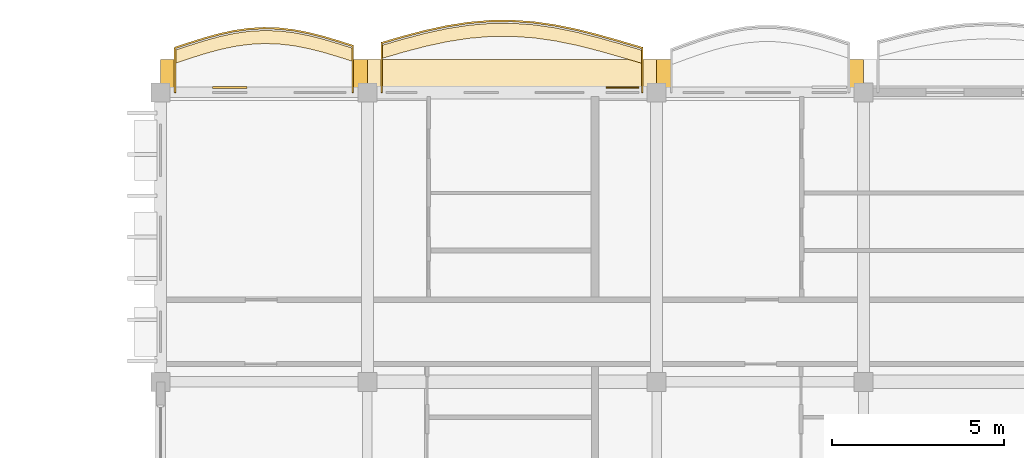
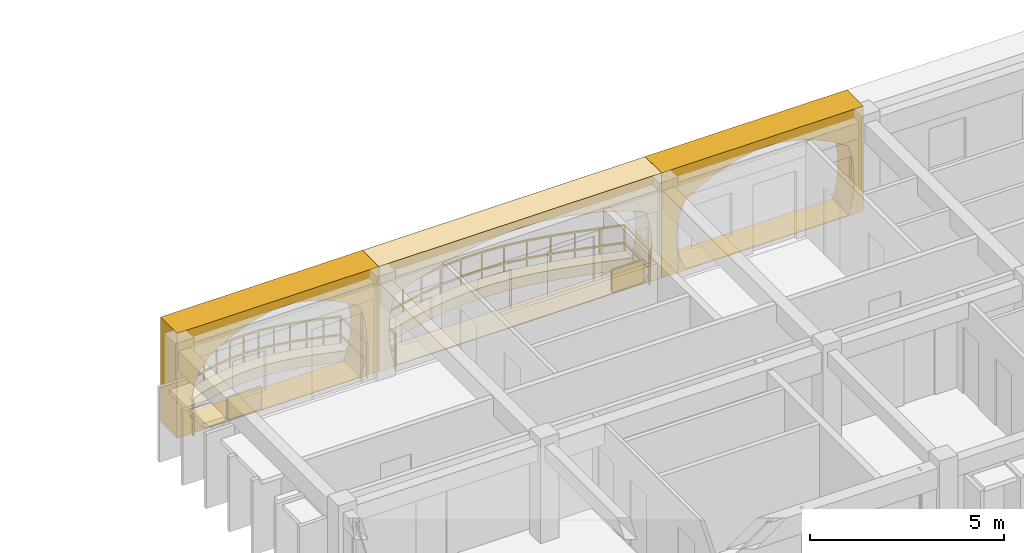
# One storey, part 26 of 31: 7 coverings, 2 railings.
"""IFC4 building model written with IfcOpenShell, lengths in metres."""

from ifc_helpers import new_model, si_unit, direction, frame, origin, origin_2d, place, context, subcontext, project, spatial, polyline, rectangle, outline, extrude, material, layer, layer_set, type_object, element, save


model = new_model("IFC4")

# Units and contexts
model_context = context("Model", 3, precision=1e-05, world=origin(), true_north=direction((0.0, 1.0)))
body_context = subcontext(model_context, "Body", "Model", "MODEL_VIEW")
ifc_project = project(units=[si_unit("LENGTHUNIT", "METRE"), si_unit("AREAUNIT", "SQUARE_METRE"), si_unit("VOLUMEUNIT", "CUBIC_METRE"), si_unit("PLANEANGLEUNIT", "RADIAN"), si_unit("MASSUNIT", "GRAM", prefix="KILO"), si_unit("THERMODYNAMICTEMPERATUREUNIT", "KELVIN")], contexts=[model_context])

# Site, building, storey
site_placement = place(None, origin())
site = spatial("IfcSite", under=ifc_project, at=site_placement, CompositionType="ELEMENT")
building_placement = place(site_placement, origin())
building = spatial("IfcBuilding", under=site, at=building_placement, Name="Thalorik Housing Commons", CompositionType="ELEMENT")
storey_placement = place(building_placement, frame((0.0, 0.0, 37.800048828125)))
storey = spatial("IfcBuildingStorey", under=building, at=storey_placement, Name="L11", CompositionType="ELEMENT", Elevation=37.800048828125)

# Coverings
ifc_material_1 = material(Name="Cobalt blue glazed ceramic facade tile panel", Category="masonry")
ifc_layer_1 = layer(ifc_material_1, 0.06005859375, Name="Cobalt blue glazed ceramic facade tile panel", Category="masonry")
ifc_layer_set_1 = layer_set([ifc_layer_1], Name="Cobalt blue glazed ceramic facade tile panel")
covering_type_1 = type_object("IfcCoveringType", Name="ARC-CLD-BLU-60", PredefinedType="CLADDING", material=ifc_layer_set_1)
covering_1_placement = place(storey_placement, frame((111.2099609375, 123.742431640625, 0.0498046875), z_axis=(0.0, 0.0, 1.0), x_axis=(-1.0, 0.0, 0.0)))
element("IfcCovering", 1, at=covering_1_placement, inside=storey, type_object=covering_type_1, Name="L11 De Stijl Recessed Window Spandrel 3181", PredefinedType="CLADDING", context=body_context, shape_type="SweptSolid", body=[
    extrude(rectangle(XDim=1.0, YDim=0.06005859375, at=origin_2d()), origin(), (0.0, 0.0, 1.0), 0.699951171875),
])
ifc_material_2 = material(Name="Precast concrete C40/50", Category="concrete")
ifc_layer_2 = layer(ifc_material_2, 0.85009765625, Name="Precast concrete C40/50", Category="concrete")
ifc_layer_set_2 = layer_set([ifc_layer_2], Name="Precast concrete C40/50")
covering_type_2 = type_object("IfcCoveringType", Name="ARC-CLD-CUSH-850", PredefinedType="CLADDING", material=ifc_layer_set_2)
covering_2_placement = place(storey_placement, frame((126.60009765625, 124.132568359375, 0.0), z_axis=(0.0, 0.0, 1.0), x_axis=(-1.0, 0.0, 0.0)))
element("IfcCovering", 2, at=covering_2_placement, inside=storey, type_object=covering_type_2, Name="L11 White Precast Curved Cushion Bay Frame 3176", PredefinedType="CLADDING", context=body_context, shape_type="SweptSolid", body=[
    extrude(outline(polyline([(-3.0, 0.0), (3.0, 0.0), (3.0, 3.300048828125), (-3.0, 3.300048828125), (-3.0, 0.0)]), holes=[polyline([(2.28955078125, 0.02490234375), (2.439697265625, 0.387451171875), (2.529541015625, 0.75), (2.5595703125, 1.112548828125), (2.529541015625, 1.47509765625), (2.439697265625, 1.83740234375), (2.28955078125, 2.199951171875), (1.885498046875, 2.455810546875), (1.481201171875, 2.656494140625), (1.0771484375, 2.819091796875), (0.6728515625, 2.940185546875), (0.268798828125, 3.014892578125), (-0.135498046875, 3.0400390625), (-0.53955078125, 3.014892578125), (-0.943603515625, 2.940185546875), (-1.347900390625, 2.819091796875), (-1.752197265625, 2.656494140625), (-2.15625, 2.455810546875), (-2.560302734375, 2.199951171875), (-2.6533203125, 1.83740234375), (-2.708984375, 1.47509765625), (-2.727294921875, 1.112548828125), (-2.708984375, 0.75), (-2.6533203125, 0.387451171875), (-2.560302734375, 0.02490234375), (2.28955078125, 0.02490234375)])]), frame((0.0, 0.425048828125, 0.0), z_axis=(0.0, -1.0, 0.0), x_axis=(1.0, 0.0, 0.0)), (0.0, 0.0, 1.0), 0.85009765625),
])
covering_3_placement = place(storey_placement, frame((119.39990234375, 124.132568359375, 0.0), z_axis=(0.0, 0.0, 1.0), x_axis=(-1.0, 0.0, 0.0)))
element("IfcCovering", 3, at=covering_3_placement, inside=storey, type_object=covering_type_2, Name="L11 White Precast Curved Cushion Bay Frame 3178", PredefinedType="CLADDING", context=body_context, shape_type="SweptSolid", body=[
    extrude(outline(polyline([(-4.199951171875, 0.0), (4.199951171875, 0.0), (4.199951171875, 3.300048828125), (-4.199951171875, 3.300048828125), (-4.199951171875, 0.0)]), holes=[polyline([(3.712890625, 0.02490234375), (3.81591796875, 0.394287109375), (3.87744140625, 0.76318359375), (3.898193359375, 1.132568359375), (3.87744140625, 1.501708984375), (3.81591796875, 1.870849609375), (3.712890625, 2.239990234375), (3.09228515625, 2.4833984375), (2.4716796875, 2.6748046875), (1.85107421875, 2.82958984375), (1.230224609375, 2.94482421875), (0.609619140625, 3.01611328125), (-0.010986328125, 3.0400390625), (-0.631591796875, 3.01611328125), (-1.252197265625, 2.94482421875), (-1.873046875, 2.82958984375), (-2.49365234375, 2.6748046875), (-3.1142578125, 2.4833984375), (-3.735107421875, 2.239990234375), (-3.833251953125, 1.870849609375), (-3.89208984375, 1.501708984375), (-3.91162109375, 1.132568359375), (-3.89208984375, 0.76318359375), (-3.833251953125, 0.394287109375), (-3.735107421875, 0.02490234375), (3.712890625, 0.02490234375)])]), frame((0.0, 0.425048828125, 0.0), z_axis=(0.0, -1.0, 0.0), x_axis=(1.0, 0.0, 0.0)), (0.0, 0.0, 1.0), 0.85009765625),
])
covering_4_placement = place(storey_placement, frame((112.199951171875, 124.132568359375, 0.0), z_axis=(0.0, 0.0, 1.0), x_axis=(-1.0, 0.0, 0.0)))
element("IfcCovering", 4, at=covering_4_placement, inside=storey, type_object=covering_type_2, Name="L11 White Precast Curved Cushion Bay Frame 3180", PredefinedType="CLADDING", context=body_context, shape_type="SweptSolid", body=[
    extrude(outline(polyline([(-3.0, 0.0), (3.0, 0.0), (3.0, 3.300048828125), (-3.0, 3.300048828125), (-3.0, 0.0)]), holes=[polyline([(2.0400390625, 0.02490234375), (2.3232421875, 0.394287109375), (2.493408203125, 0.76318359375), (2.550048828125, 1.132568359375), (2.493408203125, 1.501708984375), (2.3232421875, 1.870849609375), (2.0400390625, 2.239990234375), (1.66748046875, 2.4833984375), (1.294921875, 2.6748046875), (0.922607421875, 2.82958984375), (0.550048828125, 2.94482421875), (0.177490234375, 3.01611328125), (-0.195068359375, 3.0400390625), (-0.5673828125, 3.01611328125), (-0.93994140625, 2.94482421875), (-1.3125, 2.82958984375), (-1.68505859375, 2.6748046875), (-2.0576171875, 2.4833984375), (-2.429931640625, 2.239990234375), (-2.55029296875, 1.870849609375), (-2.62255859375, 1.501708984375), (-2.646484375, 1.132568359375), (-2.62255859375, 0.76318359375), (-2.55029296875, 0.394287109375), (-2.429931640625, 0.02490234375), (2.0400390625, 0.02490234375)])]), frame((0.0, 0.425048828125, 0.0), z_axis=(0.0, -1.0, 0.0), x_axis=(1.0, 0.0, 0.0)), (0.0, 0.0, 1.0), 0.85009765625),
])
ifc_material_3 = material(Name="Terracotta red mineral fibre-cement panel", Category="masonry")
ifc_layer_3 = layer(ifc_material_3, 0.054931640625, Name="Terracotta red mineral fibre-cement panel", Category="masonry")
ifc_layer_set_3 = layer_set([ifc_layer_3], Name="Terracotta red mineral fibre-cement panel")
covering_type_3 = type_object("IfcCoveringType", Name="ARC-CLD-RED-55", PredefinedType="CLADDING", material=ifc_layer_set_3)
covering_5_placement = place(storey_placement, frame((122.610107421875, 123.739990234375, 0.0498046875), z_axis=(0.0, 0.0, 1.0), x_axis=(-1.0, 0.0, 0.0)))
element("IfcCovering", 5, at=covering_5_placement, inside=storey, type_object=covering_type_3, Name="L11 De Stijl Recessed Window Spandrel 3179", PredefinedType="CLADDING", context=body_context, shape_type="SweptSolid", body=[
    extrude(rectangle(XDim=0.949951171875, YDim=0.054931640625, at=origin_2d()), origin(), (0.0, 0.0, 1.0), 0.699951171875),
])
ifc_material_4 = material(Name="Planted vegetated substrate and terracotta trough", Category="masonry")
ifc_layer_4 = layer(ifc_material_4, 0.340087890625, Name="Planted vegetated substrate and terracotta trough", Category="masonry")
ifc_layer_set_4 = layer_set([ifc_layer_4], Name="Planted vegetated substrate and terracotta trough")
covering_type_4 = type_object("IfcCoveringType", Name="ARC-COV-PLANTER", PredefinedType="USERDEFINED", material=ifc_layer_set_4)
covering_6_placement = place(storey_placement, origin())
element("IfcCovering", 6, at=covering_6_placement, inside=storey, type_object=covering_type_4, Name="L11 Balcony Slab-Edge Planted Trough 5549", ObjectType="PLANTER", PredefinedType="USERDEFINED", context=body_context, shape_type="SweptSolid", body=[
    extrude(outline(polyline([(114.780029296875, 124.877197265625), (114.35009765625, 125.014404296875), (113.919921875, 125.141845703125), (113.489990234375, 125.2509765625), (113.06005859375, 125.333251953125), (112.6298828125, 125.383056640625), (112.199951171875, 125.39599609375), (111.77001953125, 125.37158203125), (111.340087890625, 125.310791015625), (110.909912109375, 125.218017578125), (110.47998046875, 125.099853515625), (110.050048828125, 124.964599609375), (109.6201171875, 124.82177734375), (109.6201171875, 124.441650390625), (110.050048828125, 124.584716796875), (110.47998046875, 124.719970703125), (110.909912109375, 124.838134765625), (111.340087890625, 124.930908203125), (111.77001953125, 124.991455078125), (112.199951171875, 125.01611328125), (112.6298828125, 125.0029296875), (113.06005859375, 124.953369140625), (113.489990234375, 124.87109375), (113.919921875, 124.761962890625), (114.35009765625, 124.63427734375), (114.780029296875, 124.497314453125), (114.780029296875, 124.877197265625)])), origin(), (0.0, 0.0, 1.0), 0.33984375),
])
covering_7_placement = place(storey_placement, origin())
element("IfcCovering", 7, at=covering_7_placement, inside=storey, type_object=covering_type_4, Name="L11 Balcony Slab-Edge Planted Trough 5550", ObjectType="PLANTER", PredefinedType="USERDEFINED", context=body_context, shape_type="SweptSolid", body=[
    extrude(outline(polyline([(123.179931640625, 124.8193359375), (122.550048828125, 125.0048828125), (121.919921875, 125.183349609375), (121.2900390625, 125.342529296875), (120.659912109375, 125.4716796875), (120.030029296875, 125.561279296875), (119.39990234375, 125.60546875), (118.77001953125, 125.6005859375), (118.139892578125, 125.54736328125), (117.510009765625, 125.448974609375), (116.8798828125, 125.3125), (116.25, 125.14697265625), (115.6201171875, 124.9638671875), (115.6201171875, 124.583740234375), (116.25, 124.766845703125), (116.8798828125, 124.932373046875), (117.510009765625, 125.069091796875), (118.139892578125, 125.16748046875), (118.77001953125, 125.220703125), (119.39990234375, 125.225341796875), (120.030029296875, 125.181396484375), (120.659912109375, 125.091796875), (121.2900390625, 124.962646484375), (121.919921875, 124.80322265625), (122.550048828125, 124.624755859375), (123.179931640625, 124.439453125), (123.179931640625, 124.8193359375)])), origin(), (0.0, 0.0, 1.0), 0.33984375),
])

# Railings
ifc_material_5 = material(Name="Steel S355", Category="steel")
railing_type_1 = type_object("IfcRailingType", Name="ARC-RL-BAL-112", PredefinedType="BALUSTRADE", material=ifc_material_5)
railing_1_placement = place(storey_placement, frame((123.179931640625, 123.60009765625, 0.0)))
element("IfcRailing", 8, at=railing_1_placement, inside=storey, type_object=railing_type_1, Name="L11 Cushion Balcony Guardrail 234", PredefinedType="BALUSTRADE", context=body_context, shape_type="SweptSolid", body=[
    extrude(rectangle(XDim=0.050048828125, YDim=0.050048828125, at=origin_2d()), frame((0.0, 0.0, 1.09521484375), z_axis=(0.0, 1.0, 0.0), x_axis=(-1.0, 0.0, 0.0)), (0.0, 0.0, 1.0), 1.289306640625),
    extrude(rectangle(XDim=0.050048828125, YDim=0.050048828125, at=origin_2d()), frame((0.0, 0.0, 0.53515625), z_axis=(0.0, 1.0, 0.0), x_axis=(-1.0, 0.0, 0.0)), (0.0, 0.0, 1.0), 1.289306640625),
    extrude(rectangle(XDim=0.050048828125, YDim=0.050048828125, at=origin_2d()), frame((0.0, 1.289306640625, 1.09521484375), z_axis=(-0.959347736603, 0.282226717861, 0.0), x_axis=(-0.282226717861, -0.959347736603, 0.0)), (0.0, 0.0, 1.0), 0.656494140625),
    extrude(rectangle(XDim=0.050048828125, YDim=0.050048828125, at=origin_2d()), frame((0.0, 1.289306640625, 0.53515625), z_axis=(-0.959347736603, 0.282226717861, 0.0), x_axis=(-0.282226717861, -0.959347736603, 0.0)), (0.0, 0.0, 1.0), 0.656494140625),
    extrude(rectangle(XDim=0.050048828125, YDim=0.050048828125, at=origin_2d()), frame((-0.6298828125, 1.474609375, 1.09521484375), z_axis=(-0.962056630999, 0.272849846529, 0.0), x_axis=(-0.272849846529, -0.962056630999, 0.0)), (0.0, 0.0, 1.0), 0.655029296875),
    extrude(rectangle(XDim=0.050048828125, YDim=0.050048828125, at=origin_2d()), frame((-0.6298828125, 1.474609375, 0.53515625), z_axis=(-0.962056630999, 0.272849846529, 0.0), x_axis=(-0.272849846529, -0.962056630999, 0.0)), (0.0, 0.0, 1.0), 0.655029296875),
    extrude(rectangle(XDim=0.050048828125, YDim=0.050048828125, at=origin_2d()), frame((-1.260009765625, 1.6533203125, 1.09521484375), z_axis=(-0.969520404283, 0.245010582788, 0.0), x_axis=(-0.245010582788, -0.969520404283, 0.0)), (0.0, 0.0, 1.0), 0.649658203125),
    extrude(rectangle(XDim=0.050048828125, YDim=0.050048828125, at=origin_2d()), frame((-1.260009765625, 1.6533203125, 0.53515625), z_axis=(-0.969520404283, 0.245010582788, 0.0), x_axis=(-0.245010582788, -0.969520404283, 0.0)), (0.0, 0.0, 1.0), 0.649658203125),
    extrude(rectangle(XDim=0.050048828125, YDim=0.050048828125, at=origin_2d()), frame((-1.889892578125, 1.8125, 1.09521484375), z_axis=(-0.979635255397, 0.200785373927, 0.0), x_axis=(-0.200785373927, -0.979635255397, 0.0)), (0.0, 0.0, 1.0), 0.643310546875),
    extrude(rectangle(XDim=0.050048828125, YDim=0.050048828125, at=origin_2d()), frame((-1.889892578125, 1.8125, 0.53515625), z_axis=(-0.979635255397, 0.200785373927, 0.0), x_axis=(-0.200785373927, -0.979635255397, 0.0)), (0.0, 0.0, 1.0), 0.643310546875),
    extrude(rectangle(XDim=0.050048828125, YDim=0.050048828125, at=origin_2d()), frame((-2.52001953125, 1.941650390625, 1.09521484375), z_axis=(-0.990033738759, 0.140830380668, 0.0), x_axis=(-0.140830380668, -0.990033738759, 0.0)), (0.0, 0.0, 1.0), 0.63623046875),
    extrude(rectangle(XDim=0.050048828125, YDim=0.050048828125, at=origin_2d()), frame((-2.52001953125, 1.941650390625, 0.53515625), z_axis=(-0.990033738759, 0.140830380668, 0.0), x_axis=(-0.140830380668, -0.990033738759, 0.0)), (0.0, 0.0, 1.0), 0.63623046875),
    extrude(rectangle(XDim=0.050048828125, YDim=0.050048828125, at=origin_2d()), frame((-3.14990234375, 2.03125, 1.09521484375), z_axis=(-0.997576972688, 0.069571427774, 0.0), x_axis=(-0.069571427774, -0.997576972688, 0.0)), (0.0, 0.0, 1.0), 0.631591796875),
    extrude(rectangle(XDim=0.050048828125, YDim=0.050048828125, at=origin_2d()), frame((-3.14990234375, 2.03125, 0.53515625), z_axis=(-0.997576972688, 0.069571427774, 0.0), x_axis=(-0.069571427774, -0.997576972688, 0.0)), (0.0, 0.0, 1.0), 0.631591796875),
    extrude(rectangle(XDim=0.050048828125, YDim=0.050048828125, at=origin_2d()), frame((-3.780029296875, 2.0751953125, 1.09521484375), z_axis=(-0.999972884343, -0.007364141396, 0.0), x_axis=(0.007364141396, -0.999972884343, 0.0)), (0.0, 0.0, 1.0), 0.6298828125),
    extrude(rectangle(XDim=0.050048828125, YDim=0.050048828125, at=origin_2d()), frame((-3.780029296875, 2.0751953125, 0.53515625), z_axis=(-0.999972884343, -0.007364141396, 0.0), x_axis=(0.007364141396, -0.999972884343, 0.0)), (0.0, 0.0, 1.0), 0.6298828125),
    extrude(rectangle(XDim=0.050048828125, YDim=0.050048828125, at=origin_2d()), frame((-4.409912109375, 2.070556640625, 1.09521484375), z_axis=(-0.996451941002, -0.084163705207, 0.0), x_axis=(0.084163705207, -0.996451941002, 0.0)), (0.0, 0.0, 1.0), 0.63232421875),
    extrude(rectangle(XDim=0.050048828125, YDim=0.050048828125, at=origin_2d()), frame((-4.409912109375, 2.070556640625, 0.53515625), z_axis=(-0.996451941002, -0.084163705207, 0.0), x_axis=(0.084163705207, -0.996451941002, 0.0)), (0.0, 0.0, 1.0), 0.63232421875),
    extrude(rectangle(XDim=0.050048828125, YDim=0.050048828125, at=origin_2d()), frame((-5.0400390625, 2.017333984375, 1.09521484375), z_axis=(-0.988019333947, -0.154330151775, 0.0), x_axis=(0.154330151775, -0.988019333947, 0.0)), (0.0, 0.0, 1.0), 0.637451171875),
    extrude(rectangle(XDim=0.050048828125, YDim=0.050048828125, at=origin_2d()), frame((-5.0400390625, 2.017333984375, 0.53515625), z_axis=(-0.988019333947, -0.154330151775, 0.0), x_axis=(0.154330151775, -0.988019333947, 0.0)), (0.0, 0.0, 1.0), 0.637451171875),
    extrude(rectangle(XDim=0.050048828125, YDim=0.050048828125, at=origin_2d()), frame((-5.669921875, 1.9189453125, 1.09521484375), z_axis=(-0.977261717402, -0.212036637638, 0.0), x_axis=(0.212036637638, -0.977261717402, 0.0)), (0.0, 0.0, 1.0), 0.644775390625),
    extrude(rectangle(XDim=0.050048828125, YDim=0.050048828125, at=origin_2d()), frame((-5.669921875, 1.9189453125, 0.53515625), z_axis=(-0.977261717402, -0.212036637638, 0.0), x_axis=(0.212036637638, -0.977261717402, 0.0)), (0.0, 0.0, 1.0), 0.644775390625),
    extrude(rectangle(XDim=0.050048828125, YDim=0.050048828125, at=origin_2d()), frame((-6.300048828125, 1.7822265625, 1.09521484375), z_axis=(-0.967161884904, -0.254161146498, 0.0), x_axis=(0.254161146498, -0.967161884904, 0.0)), (0.0, 0.0, 1.0), 0.6513671875),
    extrude(rectangle(XDim=0.050048828125, YDim=0.050048828125, at=origin_2d()), frame((-6.300048828125, 1.7822265625, 0.53515625), z_axis=(-0.967161884904, -0.254161146498, 0.0), x_axis=(0.254161146498, -0.967161884904, 0.0)), (0.0, 0.0, 1.0), 0.6513671875),
    extrude(rectangle(XDim=0.050048828125, YDim=0.050048828125, at=origin_2d()), frame((-6.929931640625, 1.61669921875, 1.09521484375), z_axis=(-0.960249728562, -0.279142362954, 0.0), x_axis=(0.279142362954, -0.960249728562, 0.0)), (0.0, 0.0, 1.0), 0.656005859375),
    extrude(rectangle(XDim=0.050048828125, YDim=0.050048828125, at=origin_2d()), frame((-6.929931640625, 1.61669921875, 0.53515625), z_axis=(-0.960249728562, -0.279142362954, 0.0), x_axis=(0.279142362954, -0.960249728562, 0.0)), (0.0, 0.0, 1.0), 0.656005859375),
    extrude(rectangle(XDim=0.050048828125, YDim=0.050048828125, at=origin_2d()), frame((-7.559814453125, 1.43359375, 1.09521484375), z_axis=(0.0, -1.0, 0.0), x_axis=(1.0, 0.0, 0.0)), (0.0, 0.0, 1.0), 1.43359375),
    extrude(rectangle(XDim=0.050048828125, YDim=0.050048828125, at=origin_2d()), frame((-7.559814453125, 1.43359375, 0.53515625), z_axis=(0.0, -1.0, 0.0), x_axis=(1.0, 0.0, 0.0)), (0.0, 0.0, 1.0), 1.43359375),
    extrude(rectangle(XDim=0.0419921875, YDim=0.0419921875, at=origin_2d()), origin(), (0.0, 0.0, 1.0), 1.070068359375),
    extrude(rectangle(XDim=0.0419921875, YDim=0.0419921875, at=origin_2d()), frame((0.0, 1.289306640625, 0.0)), (0.0, 0.0, 1.0), 1.070068359375),
    extrude(rectangle(XDim=0.0419921875, YDim=0.0419921875, at=origin_2d()), frame((-0.6298828125, 1.474609375, 0.0)), (0.0, 0.0, 1.0), 1.070068359375),
    extrude(rectangle(XDim=0.0419921875, YDim=0.0419921875, at=origin_2d()), frame((-1.260009765625, 1.6533203125, 0.0)), (0.0, 0.0, 1.0), 1.070068359375),
    extrude(rectangle(XDim=0.0419921875, YDim=0.0419921875, at=origin_2d()), frame((-1.889892578125, 1.8125, 0.0)), (0.0, 0.0, 1.0), 1.070068359375),
    extrude(rectangle(XDim=0.0419921875, YDim=0.0419921875, at=origin_2d()), frame((-2.52001953125, 1.941650390625, 0.0)), (0.0, 0.0, 1.0), 1.070068359375),
    extrude(rectangle(XDim=0.0419921875, YDim=0.0419921875, at=origin_2d()), frame((-3.14990234375, 2.03125, 0.0)), (0.0, 0.0, 1.0), 1.070068359375),
    extrude(rectangle(XDim=0.0419921875, YDim=0.0419921875, at=origin_2d()), frame((-3.780029296875, 2.0751953125, 0.0)), (0.0, 0.0, 1.0), 1.070068359375),
    extrude(rectangle(XDim=0.0419921875, YDim=0.0419921875, at=origin_2d()), frame((-4.409912109375, 2.070556640625, 0.0)), (0.0, 0.0, 1.0), 1.070068359375),
    extrude(rectangle(XDim=0.0419921875, YDim=0.0419921875, at=origin_2d()), frame((-5.0400390625, 2.017333984375, 0.0)), (0.0, 0.0, 1.0), 1.070068359375),
    extrude(rectangle(XDim=0.0419921875, YDim=0.0419921875, at=origin_2d()), frame((-5.669921875, 1.9189453125, 0.0)), (0.0, 0.0, 1.0), 1.070068359375),
    extrude(rectangle(XDim=0.0419921875, YDim=0.0419921875, at=origin_2d()), frame((-6.300048828125, 1.7822265625, 0.0)), (0.0, 0.0, 1.0), 1.070068359375),
    extrude(rectangle(XDim=0.0419921875, YDim=0.0419921875, at=origin_2d()), frame((-6.929931640625, 1.61669921875, 0.0)), (0.0, 0.0, 1.0), 1.070068359375),
    extrude(rectangle(XDim=0.0419921875, YDim=0.0419921875, at=origin_2d()), frame((-7.559814453125, 1.43359375, 0.0)), (0.0, 0.0, 1.0), 1.070068359375),
    extrude(rectangle(XDim=0.0419921875, YDim=0.0419921875, at=origin_2d()), frame((-7.559814453125, 0.0, 0.0)), (0.0, 0.0, 1.0), 1.070068359375),
])
railing_type_2 = type_object("IfcRailingType", Name="ARC-RL-BAL-115", PredefinedType="BALUSTRADE", material=ifc_material_5)
railing_2_placement = place(storey_placement, frame((114.780029296875, 123.60009765625, 0.0)))
element("IfcRailing", 9, at=railing_2_placement, inside=storey, type_object=railing_type_2, Name="L11 Cushion Balcony Guardrail 233", PredefinedType="BALUSTRADE", context=body_context, shape_type="SweptSolid", body=[
    extrude(rectangle(XDim=0.050048828125, YDim=0.050048828125, at=origin_2d()), frame((0.0, 0.0, 1.125), z_axis=(0.0, 1.0, 0.0), x_axis=(-1.0, 0.0, 0.0)), (0.0, 0.0, 1.0), 1.34716796875),
    extrude(rectangle(XDim=0.050048828125, YDim=0.050048828125, at=origin_2d()), frame((0.0, 0.0, 0.5498046875), z_axis=(0.0, 1.0, 0.0), x_axis=(-1.0, 0.0, 0.0)), (0.0, 0.0, 1.0), 1.34716796875),
    extrude(rectangle(XDim=0.050048828125, YDim=0.050048828125, at=origin_2d()), frame((0.0, 1.34716796875, 1.125), z_axis=(-0.952819131931, 0.30353863317, 0.0), x_axis=(-0.30353863317, -0.952819131931, 0.0)), (0.0, 0.0, 1.0), 0.451171875),
    extrude(rectangle(XDim=0.050048828125, YDim=0.050048828125, at=origin_2d()), frame((0.0, 1.34716796875, 0.5498046875), z_axis=(-0.952819131931, 0.30353863317, 0.0), x_axis=(-0.30353863317, -0.952819131931, 0.0)), (0.0, 0.0, 1.0), 0.451171875),
    extrude(rectangle(XDim=0.050048828125, YDim=0.050048828125, at=origin_2d()), frame((-0.429931640625, 1.484130859375, 1.125), z_axis=(-0.958660781352, 0.284551412399, 0.0), x_axis=(-0.284551412399, -0.958660781352, 0.0)), (0.0, 0.0, 1.0), 0.44873046875),
    extrude(rectangle(XDim=0.050048828125, YDim=0.050048828125, at=origin_2d()), frame((-0.429931640625, 1.484130859375, 0.5498046875), z_axis=(-0.958660781352, 0.284551412399, 0.0), x_axis=(-0.284551412399, -0.958660781352, 0.0)), (0.0, 0.0, 1.0), 0.44873046875),
    extrude(rectangle(XDim=0.050048828125, YDim=0.050048828125, at=origin_2d()), frame((-0.860107421875, 1.61181640625, 1.125), z_axis=(-0.969262026984, 0.246030735981, 0.0), x_axis=(-0.246030735981, -0.969262026984, 0.0)), (0.0, 0.0, 1.0), 0.443603515625),
    extrude(rectangle(XDim=0.050048828125, YDim=0.050048828125, at=origin_2d()), frame((-0.860107421875, 1.61181640625, 0.5498046875), z_axis=(-0.969262026984, 0.246030735981, 0.0), x_axis=(-0.246030735981, -0.969262026984, 0.0)), (0.0, 0.0, 1.0), 0.443603515625),
    extrude(rectangle(XDim=0.050048828125, YDim=0.050048828125, at=origin_2d()), frame((-1.2900390625, 1.720947265625, 1.125), z_axis=(-0.982177105066, 0.187957799209, 0.0), x_axis=(-0.187957799209, -0.982177105066, 0.0)), (0.0, 0.0, 1.0), 0.437744140625),
    extrude(rectangle(XDim=0.050048828125, YDim=0.050048828125, at=origin_2d()), frame((-1.2900390625, 1.720947265625, 0.5498046875), z_axis=(-0.982177105066, 0.187957799209, 0.0), x_axis=(-0.187957799209, -0.982177105066, 0.0)), (0.0, 0.0, 1.0), 0.437744140625),
    extrude(rectangle(XDim=0.050048828125, YDim=0.050048828125, at=origin_2d()), frame((-1.719970703125, 1.80322265625, 1.125), z_axis=(-0.993428674956, 0.114452906366, 0.0), x_axis=(-0.114452906366, -0.993428674956, 0.0)), (0.0, 0.0, 1.0), 0.43310546875),
    extrude(rectangle(XDim=0.050048828125, YDim=0.050048828125, at=origin_2d()), frame((-1.719970703125, 1.80322265625, 0.5498046875), z_axis=(-0.993428674956, 0.114452906366, 0.0), x_axis=(-0.114452906366, -0.993428674956, 0.0)), (0.0, 0.0, 1.0), 0.43310546875),
    extrude(rectangle(XDim=0.050048828125, YDim=0.050048828125, at=origin_2d()), frame((-2.150146484375, 1.852783203125, 1.125), z_axis=(-0.999530178738, 0.030649988445, 0.0), x_axis=(-0.030649988445, -0.999530178738, 0.0)), (0.0, 0.0, 1.0), 0.43017578125),
    extrude(rectangle(XDim=0.050048828125, YDim=0.050048828125, at=origin_2d()), frame((-2.150146484375, 1.852783203125, 0.5498046875), z_axis=(-0.999530178738, 0.030649988445, 0.0), x_axis=(-0.030649988445, -0.999530178738, 0.0)), (0.0, 0.0, 1.0), 0.43017578125),
    extrude(rectangle(XDim=0.050048828125, YDim=0.050048828125, at=origin_2d()), frame((-2.580078125, 1.865966796875, 1.125), z_axis=(-0.998359318778, -0.057259677, 0.0), x_axis=(0.057259677, -0.998359318778, 0.0)), (0.0, 0.0, 1.0), 0.4306640625),
    extrude(rectangle(XDim=0.050048828125, YDim=0.050048828125, at=origin_2d()), frame((-2.580078125, 1.865966796875, 0.5498046875), z_axis=(-0.998359318778, -0.057259677, 0.0), x_axis=(0.057259677, -0.998359318778, 0.0)), (0.0, 0.0, 1.0), 0.4306640625),
    extrude(rectangle(XDim=0.050048828125, YDim=0.050048828125, at=origin_2d()), frame((-3.010009765625, 1.84130859375, 1.125), z_axis=(-0.990228692537, -0.139452990204, 0.0), x_axis=(0.139452990204, -0.990228692537, 0.0)), (0.0, 0.0, 1.0), 0.43408203125),
    extrude(rectangle(XDim=0.050048828125, YDim=0.050048828125, at=origin_2d()), frame((-3.010009765625, 1.84130859375, 0.5498046875), z_axis=(-0.990228692537, -0.139452990204, 0.0), x_axis=(0.139452990204, -0.990228692537, 0.0)), (0.0, 0.0, 1.0), 0.43408203125),
    extrude(rectangle(XDim=0.050048828125, YDim=0.050048828125, at=origin_2d()), frame((-3.43994140625, 1.78076171875, 1.125), z_axis=(-0.97752552777, -0.210817083174, 0.0), x_axis=(0.210817083174, -0.97752552777, 0.0)), (0.0, 0.0, 1.0), 0.440185546875),
    extrude(rectangle(XDim=0.050048828125, YDim=0.050048828125, at=origin_2d()), frame((-3.43994140625, 1.78076171875, 0.5498046875), z_axis=(-0.97752552777, -0.210817083174, 0.0), x_axis=(0.210817083174, -0.97752552777, 0.0)), (0.0, 0.0, 1.0), 0.440185546875),
    extrude(rectangle(XDim=0.050048828125, YDim=0.050048828125, at=origin_2d()), frame((-3.8701171875, 1.68798828125, 1.125), z_axis=(-0.964243880098, -0.265016489476, 0.0), x_axis=(0.265016489476, -0.964243880098, 0.0)), (0.0, 0.0, 1.0), 0.44580078125),
    extrude(rectangle(XDim=0.050048828125, YDim=0.050048828125, at=origin_2d()), frame((-3.8701171875, 1.68798828125, 0.5498046875), z_axis=(-0.964243880098, -0.265016489476, 0.0), x_axis=(0.265016489476, -0.964243880098, 0.0)), (0.0, 0.0, 1.0), 0.44580078125),
    extrude(rectangle(XDim=0.050048828125, YDim=0.050048828125, at=origin_2d()), frame((-4.300048828125, 1.56982421875, 1.125), z_axis=(-0.953909569084, -0.300094208559, 0.0), x_axis=(0.300094208559, -0.953909569084, 0.0)), (0.0, 0.0, 1.0), 0.45068359375),
    extrude(rectangle(XDim=0.050048828125, YDim=0.050048828125, at=origin_2d()), frame((-4.300048828125, 1.56982421875, 0.5498046875), z_axis=(-0.953909569084, -0.300094208559, 0.0), x_axis=(0.300094208559, -0.953909569084, 0.0)), (0.0, 0.0, 1.0), 0.45068359375),
    extrude(rectangle(XDim=0.050048828125, YDim=0.050048828125, at=origin_2d()), frame((-4.72998046875, 1.4345703125, 1.125), z_axis=(-0.948844817182, -0.315742795496, 0.0), x_axis=(0.315742795496, -0.948844817182, 0.0)), (0.0, 0.0, 1.0), 0.453125),
    extrude(rectangle(XDim=0.050048828125, YDim=0.050048828125, at=origin_2d()), frame((-4.72998046875, 1.4345703125, 0.5498046875), z_axis=(-0.948844817182, -0.315742795496, 0.0), x_axis=(0.315742795496, -0.948844817182, 0.0)), (0.0, 0.0, 1.0), 0.453125),
    extrude(rectangle(XDim=0.050048828125, YDim=0.050048828125, at=origin_2d()), frame((-5.159912109375, 1.29150390625, 1.125), z_axis=(0.0, -1.0, 0.0), x_axis=(1.0, 0.0, 0.0)), (0.0, 0.0, 1.0), 1.29150390625),
    extrude(rectangle(XDim=0.050048828125, YDim=0.050048828125, at=origin_2d()), frame((-5.159912109375, 1.29150390625, 0.5498046875), z_axis=(0.0, -1.0, 0.0), x_axis=(1.0, 0.0, 0.0)), (0.0, 0.0, 1.0), 1.29150390625),
    extrude(rectangle(XDim=0.0419921875, YDim=0.0419921875, at=origin_2d()), origin(), (0.0, 0.0, 1.0), 1.099853515625),
    extrude(rectangle(XDim=0.0419921875, YDim=0.0419921875, at=origin_2d()), frame((0.0, 1.34716796875, 0.0)), (0.0, 0.0, 1.0), 1.099853515625),
    extrude(rectangle(XDim=0.0419921875, YDim=0.0419921875, at=origin_2d()), frame((-0.429931640625, 1.484130859375, 0.0)), (0.0, 0.0, 1.0), 1.099853515625),
    extrude(rectangle(XDim=0.0419921875, YDim=0.0419921875, at=origin_2d()), frame((-0.860107421875, 1.61181640625, 0.0)), (0.0, 0.0, 1.0), 1.099853515625),
    extrude(rectangle(XDim=0.0419921875, YDim=0.0419921875, at=origin_2d()), frame((-1.2900390625, 1.720947265625, 0.0)), (0.0, 0.0, 1.0), 1.099853515625),
    extrude(rectangle(XDim=0.0419921875, YDim=0.0419921875, at=origin_2d()), frame((-1.719970703125, 1.80322265625, 0.0)), (0.0, 0.0, 1.0), 1.099853515625),
    extrude(rectangle(XDim=0.0419921875, YDim=0.0419921875, at=origin_2d()), frame((-2.150146484375, 1.852783203125, 0.0)), (0.0, 0.0, 1.0), 1.099853515625),
    extrude(rectangle(XDim=0.0419921875, YDim=0.0419921875, at=origin_2d()), frame((-2.580078125, 1.865966796875, 0.0)), (0.0, 0.0, 1.0), 1.099853515625),
    extrude(rectangle(XDim=0.0419921875, YDim=0.0419921875, at=origin_2d()), frame((-3.010009765625, 1.84130859375, 0.0)), (0.0, 0.0, 1.0), 1.099853515625),
    extrude(rectangle(XDim=0.0419921875, YDim=0.0419921875, at=origin_2d()), frame((-3.43994140625, 1.78076171875, 0.0)), (0.0, 0.0, 1.0), 1.099853515625),
    extrude(rectangle(XDim=0.0419921875, YDim=0.0419921875, at=origin_2d()), frame((-3.8701171875, 1.68798828125, 0.0)), (0.0, 0.0, 1.0), 1.099853515625),
    extrude(rectangle(XDim=0.0419921875, YDim=0.0419921875, at=origin_2d()), frame((-4.300048828125, 1.56982421875, 0.0)), (0.0, 0.0, 1.0), 1.099853515625),
    extrude(rectangle(XDim=0.0419921875, YDim=0.0419921875, at=origin_2d()), frame((-4.72998046875, 1.4345703125, 0.0)), (0.0, 0.0, 1.0), 1.099853515625),
    extrude(rectangle(XDim=0.0419921875, YDim=0.0419921875, at=origin_2d()), frame((-5.159912109375, 1.29150390625, 0.0)), (0.0, 0.0, 1.0), 1.099853515625),
    extrude(rectangle(XDim=0.0419921875, YDim=0.0419921875, at=origin_2d()), frame((-5.159912109375, 0.0, 0.0)), (0.0, 0.0, 1.0), 1.099853515625),
])

save(model, "model.ifc")
